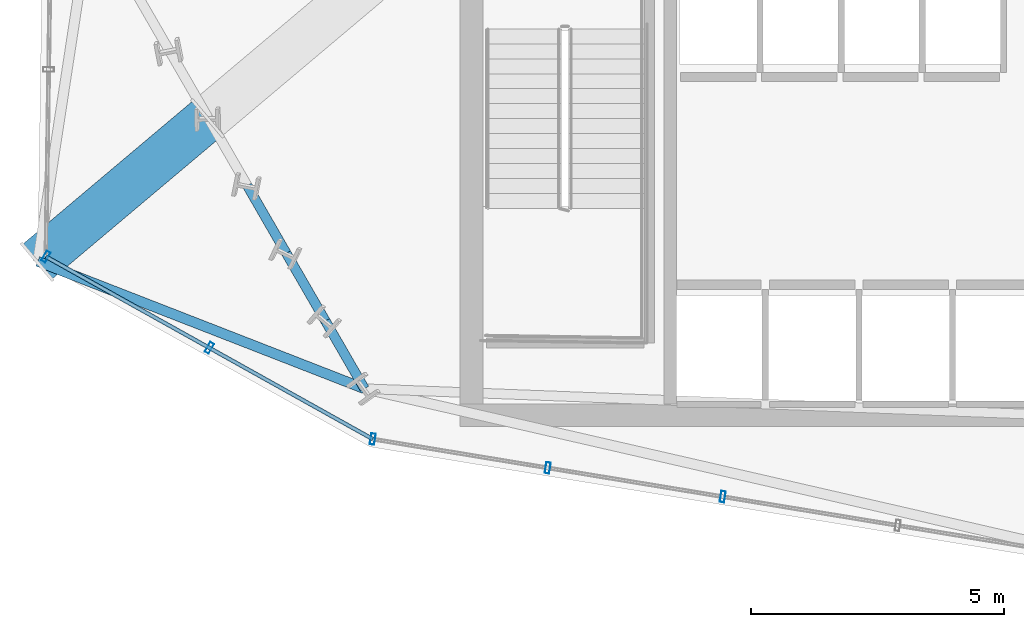
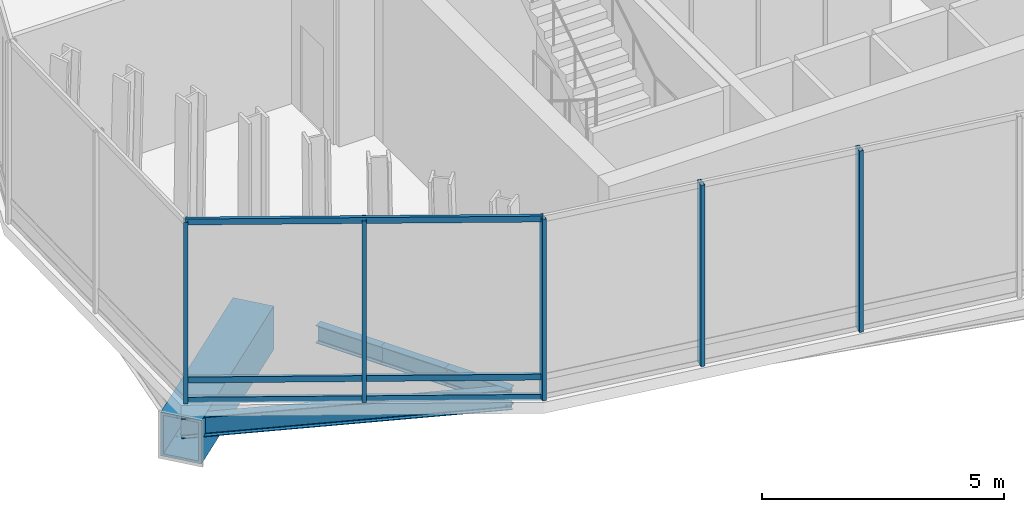
# One storey, part 2 of 26: 8 members, 5 beams, 2 elements without a shape of their own.
"""IFC4 building model written with IfcOpenShell, lengths in metres."""

from ifc_helpers import new_model, si_unit, direction, frame, origin, origin_2d, place, context, subcontext, project, spatial, hollow_rectangle, i_section, extrude, material, layer, layer_set, material_profile, profile_set, type_object, element, aggregate, save


model = new_model("IFC4")

# Units and contexts
model_context = context("Model", 3, precision=1e-05, world=origin(), true_north=direction((0.0, 1.0)))
body_context = subcontext(model_context, "Body", "Model", "MODEL_VIEW")
ifc_project = project(units=[si_unit("LENGTHUNIT", "METRE"), si_unit("AREAUNIT", "SQUARE_METRE"), si_unit("VOLUMEUNIT", "CUBIC_METRE"), si_unit("PLANEANGLEUNIT", "RADIAN"), si_unit("MASSUNIT", "GRAM", prefix="KILO")], contexts=[model_context])

# Site, building, storey
site_placement = place(None, origin())
site = spatial("IfcSite", under=ifc_project, at=site_placement, CompositionType="ELEMENT")
building_placement = place(site_placement, origin())
building = spatial("IfcBuilding", under=site, at=building_placement, Name="Ndaravel Arena Tower", CompositionType="ELEMENT")
storey_placement = place(building_placement, frame((0.0, 0.0, 122.199951171875)))
storey = spatial("IfcBuildingStorey", under=building, at=storey_placement, Name="L28", CompositionType="ELEMENT", Elevation=122.199951171875)

# Beams
ifc_material_1 = material(Name="Steel S355", Category="steel")
ifc_material_profile_1 = material_profile(ifc_material_1, i_section(OverallWidth=0.18994140625, OverallDepth=0.449951171875, WebThickness=0.009521484375, FlangeThickness=0.0146484375, FilletRadius=0.02099609375, at=origin_2d()), Name="IPE 450")
ifc_profile_set_1 = profile_set([ifc_material_profile_1], Name="Steel S355")
beam_type_1 = type_object("IfcBeamType", Name="BM-SPAN-IPE450", PredefinedType="SPANDREL", material=ifc_profile_set_1)
for number, where, z_axis, x_axis, name in (
    (1, (22.249267578125, 10.157958984375, -0.5048828125), (0.499882215713, -0.866093395895, 0.0), (0.866093395895, 0.499882215713, 0.0), "L28 Perimeter Spandrel Beam SP-24"),
    (2, (23.020751953125, 8.8212890625, -0.5048828125), (0.500069364209, -0.865985352636, 0.0), (0.865985352636, 0.500069364209, 0.0), "L28 Perimeter Spandrel Beam SP-25"),
):
    element("IfcBeam", number, at=place(storey_placement, frame(where, z_axis=z_axis, x_axis=x_axis)), inside=storey, type_object=beam_type_1, Name=name, PredefinedType="SPANDREL", context=body_context, shape_type="SweptSolid", body=[
        extrude(i_section(OverallWidth=0.18994140625, OverallDepth=0.449951171875, WebThickness=0.009521484375, FlangeThickness=0.0146484375, FilletRadius=0.02099609375, at=origin_2d()), origin(), (0.0, 0.0, 1.0), 1.543212890625),
    ])
beam_1_placement = place(storey_placement, frame((23.79248046875, 7.48486328125, -0.5048828125), z_axis=(0.5000008632, -0.866024905415, 0.0), x_axis=(0.866024905415, 0.5000008632, 0.0)))
element("IfcBeam", 3, at=beam_1_placement, inside=storey, type_object=beam_type_1, Name="L28 Perimeter Spandrel Beam SP-26", PredefinedType="SPANDREL", context=body_context, shape_type="SweptSolid", body=[
    extrude(i_section(OverallWidth=0.18994140625, OverallDepth=0.449951171875, WebThickness=0.009521484375, FlangeThickness=0.0146484375, FilletRadius=0.02099609375, at=origin_2d()), origin(), (0.0, 0.0, 1.0), 1.54345703125),
])
ifc_material_2 = material(Name="Steel S355", Category="steel")
ifc_material_profile_2 = material_profile(ifc_material_2, i_section(OverallWidth=0.199951171875, OverallDepth=0.5, WebThickness=0.01025390625, FlangeThickness=0.01611328125, FilletRadius=0.02099609375, at=origin_2d()), Name="IPE 500")
ifc_profile_set_2 = profile_set([ifc_material_profile_2], Name="Steel S355")
beam_type_2 = type_object("IfcBeamType", Name="BM-SPAN-IPE500", PredefinedType="SPANDREL", material=ifc_profile_set_2)
beam_2_placement = place(storey_placement, frame((18.113525390625, 8.661376953125, -0.530029296875), z_axis=(0.931780800221, -0.363021404794, 0.0), x_axis=(0.363021404794, 0.931780800221, 0.0)))
element("IfcBeam", 4, at=beam_2_placement, inside=storey, type_object=beam_type_2, Name="L28 Star Facet Edge Beam SEB-1", PredefinedType="SPANDREL", context=body_context, shape_type="SweptSolid", body=[
    extrude(i_section(OverallWidth=0.199951171875, OverallDepth=0.5, WebThickness=0.01025390625, FlangeThickness=0.01611328125, FilletRadius=0.02099609375, at=origin_2d()), origin(), (0.0, 0.0, 1.0), 6.9228515625),
])
ifc_material_3 = material(Name="Steel S460", Category="steel")
ifc_material_profile_3 = material_profile(ifc_material_3, hollow_rectangle(XDim=0.89990234375, YDim=1.10009765625, WallThickness=0.06494140625, at=origin_2d()), Name="BOX 1100x900x65")
ifc_profile_set_3 = profile_set([ifc_material_profile_3], Name="Steel S460")
beam_type_3 = type_object("IfcBeamType", Name="BM-STAR-BOX1100", PredefinedType="BEAM", material=ifc_profile_set_3)
beam_3_placement = place(storey_placement, frame((21.4775390625, 11.49462890625, -0.829833984375), z_axis=(-0.764866572693, -0.644188734749, 0.0), x_axis=(0.644188734749, -0.764866572693, 0.0)))
element("IfcBeam", 5, at=beam_3_placement, inside=storey, type_object=beam_type_3, Name="L28 Star Cantilever Tip Girder SCG-1", PredefinedType="BEAM", context=body_context, shape_type="SweptSolid", body=[
    extrude(hollow_rectangle(XDim=0.89990234375, YDim=1.10009765625, WallThickness=0.06494140625, at=origin_2d()), origin(), (0.0, 0.0, 1.0), 4.398193359375),
])

# Curtain wall, members
ifc_material_4 = material(Name="Aluminium", Category="aluminium")
ifc_layer = layer(ifc_material_4, 0.179931640625)
ifc_layer_set = layer_set([ifc_layer], Name="Aluminium")
curtain_wall_type = type_object("IfcCurtainWallType", Name="CW-SYS-04", PredefinedType="NOTDEFINED", material=ifc_layer_set)
curtain_wall_1_placement = place(storey_placement, origin())
curtain_wall_1 = element("IfcCurtainWall", 6, at=curtain_wall_1_placement, inside=storey, type_object=curtain_wall_type, Name="L28 Faceted Crystal Curtain Wall CW-L28-E01", PredefinedType="NOTDEFINED")
ifc_material_5 = material(Name="Aluminium", Category="aluminium")
ifc_material_profile_4 = material_profile(ifc_material_5, hollow_rectangle(XDim=0.090087890625, YDim=0.219970703125, WallThickness=0.0048828125, at=origin_2d()), Name="CW MULLION 90x220x5")
ifc_profile_set_4 = profile_set([ifc_material_profile_4], Name="Aluminium")
member_type_1 = type_object("IfcMemberType", Name="MEM-CW-MUL220", PredefinedType="MULLION", material=ifc_profile_set_4)
member_1_placement = place(storey_placement, frame((18.27490234375, 8.75439453125, 0.0), z_axis=(0.0, 0.0, 1.0), x_axis=(0.87317740032, -0.487402531354, 0.0)))
member_1 = element("IfcMember", 7, at=member_1_placement, type_object=member_type_1, Name="CW-L28-E01 Mullion 00", PredefinedType="MULLION", context=body_context, shape_type="SweptSolid", body=[
    extrude(hollow_rectangle(XDim=0.090087890625, YDim=0.219970703125, WallThickness=0.0048828125, at=origin_2d()), origin(), (0.0, 0.0, 1.0), 4.580078125),
])
member_2_placement = place(storey_placement, frame((21.500732421875, 6.953857421875, 0.0), z_axis=(0.0, 0.0, 1.0), x_axis=(0.87317740032, -0.487402531354, 0.0)))
member_2 = element("IfcMember", 8, at=member_2_placement, type_object=member_type_1, Name="CW-L28-E01 Mullion 01", PredefinedType="MULLION", context=body_context, shape_type="SweptSolid", body=[
    extrude(hollow_rectangle(XDim=0.090087890625, YDim=0.219970703125, WallThickness=0.0048828125, at=origin_2d()), origin(), (0.0, 0.0, 1.0), 4.580078125),
])

curtain_wall_2_placement = place(storey_placement, origin())
curtain_wall_2 = element("IfcCurtainWall", 9, at=curtain_wall_2_placement, inside=storey, type_object=curtain_wall_type, Name="L28 Faceted Crystal Curtain Wall CW-L28-E02", PredefinedType="NOTDEFINED")
member_3_placement = place(storey_placement, frame((24.7265625, 5.1533203125, 0.0), z_axis=(0.0, 0.0, 1.0), x_axis=(0.986739822482, -0.162309958809, 0.0)))
member_3 = element("IfcMember", 10, at=member_3_placement, type_object=member_type_1, Name="CW-L28-E02 Mullion 00", PredefinedType="MULLION", context=body_context, shape_type="SweptSolid", body=[
    extrude(hollow_rectangle(XDim=0.090087890625, YDim=0.219970703125, WallThickness=0.0048828125, at=origin_2d()), origin(), (0.0, 0.0, 1.0), 4.580078125),
])
member_4_placement = place(storey_placement, frame((28.18115234375, 4.585205078125, 0.0), z_axis=(0.0, 0.0, 1.0), x_axis=(0.986739822482, -0.162309958809, 0.0)))
member_4 = element("IfcMember", 11, at=member_4_placement, type_object=member_type_1, Name="CW-L28-E02 Mullion 01", PredefinedType="MULLION", context=body_context, shape_type="SweptSolid", body=[
    extrude(hollow_rectangle(XDim=0.090087890625, YDim=0.219970703125, WallThickness=0.0048828125, at=origin_2d()), origin(), (0.0, 0.0, 1.0), 4.580078125),
])
member_5_placement = place(storey_placement, frame((31.635986328125, 4.016845703125, 0.0), z_axis=(0.0, 0.0, 1.0), x_axis=(0.986739822482, -0.162309958809, 0.0)))
member_5 = element("IfcMember", 12, at=member_5_placement, type_object=member_type_1, Name="CW-L28-E02 Mullion 02", PredefinedType="MULLION", context=body_context, shape_type="SweptSolid", body=[
    extrude(hollow_rectangle(XDim=0.090087890625, YDim=0.219970703125, WallThickness=0.0048828125, at=origin_2d()), origin(), (0.0, 0.0, 1.0), 4.580078125),
])
aggregate(curtain_wall_2, [member_3, member_4, member_5])

# Member
ifc_material_6 = material(Name="Aluminium", Category="aluminium")
ifc_material_profile_5 = material_profile(ifc_material_6, hollow_rectangle(XDim=0.074951171875, YDim=0.14990234375, WallThickness=0.00390625, at=origin_2d()), Name="CW TRANSOM 75x150x4")
ifc_profile_set_5 = profile_set([ifc_material_profile_5], Name="Aluminium")
member_type_2 = type_object("IfcMemberType", Name="MEM-CW-TRN150", PredefinedType="USERDEFINED", material=ifc_profile_set_5)
member_6_placement = place(storey_placement, frame((18.27490234375, 8.75439453125, 0.0400390625), z_axis=(0.873189199321, -0.487381392946, 0.0), x_axis=(0.487381392946, 0.873189199321, 0.0)))
member_6 = element("IfcMember", 13, at=member_6_placement, type_object=member_type_2, Name="CW-L28-E01 Transom 01", ObjectType="TRANSOM", PredefinedType="USERDEFINED", context=body_context, shape_type="SweptSolid", body=[
    extrude(hollow_rectangle(XDim=0.074951171875, YDim=0.14990234375, WallThickness=0.00390625, at=origin_2d()), origin(), (0.0, 0.0, 1.0), 7.388671875),
])

member_7_placement = place(storey_placement, frame((18.27490234375, 8.75439453125, 0.550048828125), z_axis=(0.873189199321, -0.487381392946, 0.0), x_axis=(0.487381392946, 0.873189199321, 0.0)))
member_7 = element("IfcMember", 14, at=member_7_placement, type_object=member_type_2, Name="CW-L28-E01 Transom 02", ObjectType="TRANSOM", PredefinedType="USERDEFINED", context=body_context, shape_type="SweptSolid", body=[
    extrude(hollow_rectangle(XDim=0.074951171875, YDim=0.14990234375, WallThickness=0.00390625, at=origin_2d()), origin(), (0.0, 0.0, 1.0), 7.388671875),
])

member_8_placement = place(storey_placement, frame((18.27490234375, 8.75439453125, 4.5400390625), z_axis=(0.873189199321, -0.487381392946, 0.0), x_axis=(0.487381392946, 0.873189199321, 0.0)))
member_8 = element("IfcMember", 15, at=member_8_placement, type_object=member_type_2, Name="CW-L28-E01 Transom 03", ObjectType="TRANSOM", PredefinedType="USERDEFINED", context=body_context, shape_type="SweptSolid", body=[
    extrude(hollow_rectangle(XDim=0.074951171875, YDim=0.14990234375, WallThickness=0.00390625, at=origin_2d()), origin(), (0.0, 0.0, 1.0), 7.388671875),
])

aggregate(curtain_wall_1, [member_1, member_2, member_6, member_7, member_8])

save(model, "model.ifc")
